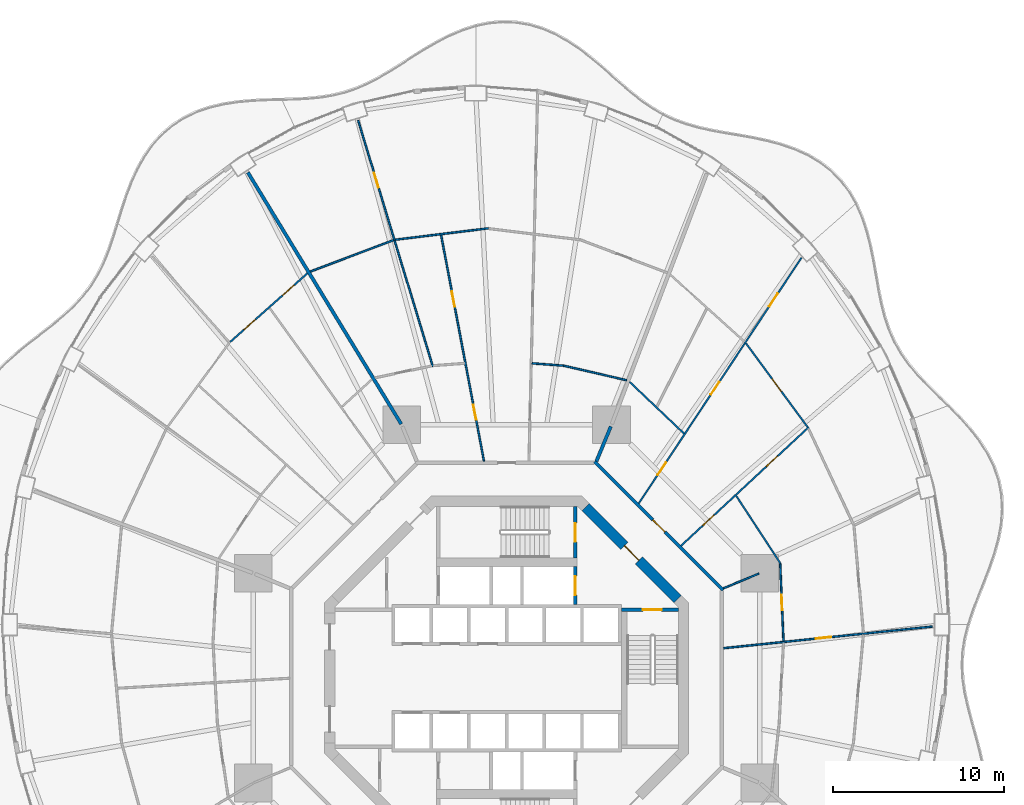
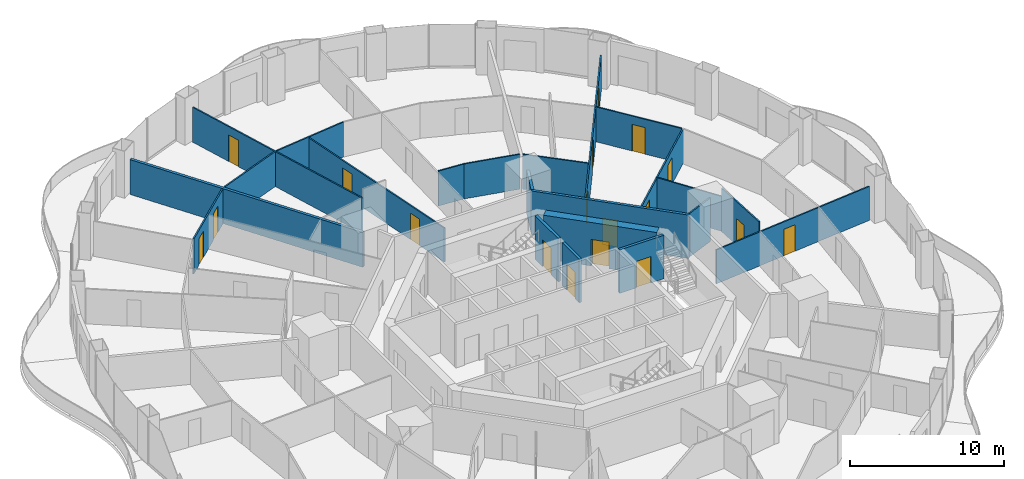
# One storey, part 18 of 22: 22 walls, 18 doors, 18 openings.
"""IFC4 building model written with IfcOpenShell, lengths in metres."""

from ifc_helpers import new_model, si_unit, direction, frame, frame_2d, origin, place, context, subcontext, project, spatial, rectangle, extrude, material, layer, layer_set, type_object, element, fill, save


model = new_model("IFC4")

# Units and contexts
model_context = context("Model", 3, precision=1e-05, world=origin(), true_north=direction((0.0, 1.0)))
body_context = subcontext(model_context, "Body", "Model", "MODEL_VIEW")
ifc_project = project(units=[si_unit("LENGTHUNIT", "METRE"), si_unit("AREAUNIT", "SQUARE_METRE"), si_unit("VOLUMEUNIT", "CUBIC_METRE"), si_unit("PLANEANGLEUNIT", "RADIAN"), si_unit("MASSUNIT", "GRAM", prefix="KILO")], contexts=[model_context])

# Site, building, storey
site_placement = place(None, origin())
site = spatial("IfcSite", under=ifc_project, at=site_placement, CompositionType="ELEMENT")
building_placement = place(site_placement, origin())
building = spatial("IfcBuilding", under=site, at=building_placement, Name="Nagisa Residences", CompositionType="ELEMENT")
storey_placement = place(building_placement, frame((0.0, 0.0, 99.199951171875)))
storey = spatial("IfcBuildingStorey", under=building, at=storey_placement, Name="L24", CompositionType="ELEMENT", Elevation=99.199951171875)

# Walls
ifc_material_1 = material(Name="Gypsum board on steel studs", Category="steel")
ifc_layer_1 = layer(ifc_material_1, 0.199951171875)
ifc_layer_set_1 = layer_set([ifc_layer_1], Name="Apartment compartment wall EI60 200")
wall_type_1 = type_object("IfcWallType", Name="Apartment compartment wall EI60 200", PredefinedType="PARTITIONING", material=ifc_layer_set_1)
wall_1_placement = place(storey_placement, frame((5.24267578125, 12.6572265625, 0.0), z_axis=(0.0, 0.0, 1.0), x_axis=(0.382724096228, 0.923862687939, 0.0)))
element("IfcWall", 1, at=wall_1_placement, inside=storey, type_object=wall_type_1, Name="wall:L24:u00", PredefinedType="PARTITIONING", context=body_context, shape_type="SweptSolid", body=[
    extrude(rectangle(XDim=2.20068359375, YDim=0.199951171875, at=frame_2d((1.100341796875, 0.0))), origin(), (0.0, 0.0, 1.0), 3.43994140625),
])
wall_2_placement = place(storey_placement, frame((-6.14892578125, 14.82470703125, 0.0), z_axis=(0.0, 0.0, 1.0), x_axis=(-0.520412862249, 0.853914780763, 0.0)))
element("IfcWall", 2, at=wall_2_placement, inside=storey, type_object=wall_type_1, Name="wall:L24:u03", PredefinedType="PARTITIONING", context=body_context, shape_type="SweptSolid", body=[
    extrude(rectangle(XDim=17.202392578125, YDim=0.199951171875, at=frame_2d((8.60107421875, 0.0))), origin(), (0.0, 0.0, 1.0), 2.761962890625),
])

# Wall, opening, door
ifc_material_2 = material(Name="Gypsum board on steel studs", Category="steel")
ifc_layer_2 = layer(ifc_material_2, 0.199951171875)
ifc_layer_set_2 = layer_set([ifc_layer_2], Name="Apartment entry wall EI60 200")
wall_type_2 = type_object("IfcWallType", Name="Apartment entry wall EI60 200", PredefinedType="PARTITIONING", material=ifc_layer_set_2)
wall_3_placement = place(storey_placement, frame((12.635498046875, 5.1337890625, 0.0), z_axis=(0.0, 0.0, 1.0), x_axis=(-0.707106781187, 0.707106781187, 0.0)))
wall_3 = element("IfcWall", 3, at=wall_3_placement, inside=storey, type_object=wall_type_2, Name="wall:L24:u11", PredefinedType="PARTITIONING", context=body_context, shape_type="SweptSolid", body=[
    extrude(rectangle(XDim=10.609130859375, YDim=0.199951171875, at=frame_2d((5.3046875, 0.0))), origin(), (0.0, 0.0, 1.0), 3.43994140625),
])
opening_1_placement = place(wall_3_placement, frame((4.804443359375, 0.0, 0.0)))
opening_1 = element("IfcOpeningElement", 4, at=opening_1_placement, cuts=wall_3, Name="Opening L24-U28", PredefinedType="OPENING", context=body_context, shape_type="SweptSolid", body=[
    extrude(rectangle(XDim=1.0, YDim=2.10009765625, at=frame_2d((0.5, 1.050048828125))), frame((0.0, 0.10986328125, 0.0), z_axis=(0.0, -1.0, 0.0), x_axis=(1.0, 0.0, 0.0)), (0.0, 0.0, 1.0), 0.219970703125),
])
ifc_material_3 = material(Name="Timber fire door set", Category="wood")
door_type_1 = type_object("IfcDoorType", Name="Apartment entry door FD30S 1000x2100", OperationType="NOTDEFINED", PredefinedType="DOOR", material=ifc_material_3)
door_1_placement = place(opening_1_placement, frame((1.0, 0.0, 0.0), x_axis=(-1.0, 0.0, 0.0)))
door_1 = element("IfcDoor", 5, at=door_1_placement, inside=storey, type_object=door_type_1, Name="Entry door, Apartment 24C", OperationType="SINGLE_SWING_LEFT", OverallHeight=2.10009765625, OverallWidth=1.0, PredefinedType="DOOR", context=body_context, shape_type="SweptSolid", body=[
    extrude(rectangle(XDim=1.0, YDim=2.10009765625, at=frame_2d((0.5, 1.050048828125))), frame((0.0, 0.02490234375, 0.0), z_axis=(0.0, -1.0, 0.0), x_axis=(1.0, 0.0, 0.0)), (0.0, 0.0, 1.0), 0.050048828125),
])
fill(opening_1, door_1)

ifc_material_4 = material(Name="Gypsum board on steel studs", Category="steel")
ifc_layer_3 = layer(ifc_material_4, 0.10009765625)
ifc_layer_set_3 = layer_set([ifc_layer_3], Name="Apartment partition 100")
wall_type_3 = type_object("IfcWallType", Name="Apartment partition 100", PredefinedType="PARTITIONING", material=ifc_layer_set_3)
wall_4_placement = place(storey_placement, frame((12.664306640625, 1.7451171875, 0.0), z_axis=(0.0, 0.0, 1.0), x_axis=(0.994662790212, 0.103179134358, 0.0)))
wall_4 = element("IfcWall", 6, at=wall_4_placement, inside=storey, type_object=wall_type_3, Name="wall:L24:u18", PredefinedType="PARTITIONING", context=body_context, shape_type="SweptSolid", body=[
    extrude(rectangle(XDim=12.2568359375, YDim=0.10009765625, at=frame_2d((6.12841796875, 0.0))), origin(), (0.0, 0.0, 1.0), 2.68701171875),
])
opening_2_placement = place(wall_4_placement, frame((5.413818359375, 0.0, 0.0)))
opening_2 = element("IfcOpeningElement", 7, at=opening_2_placement, cuts=wall_4, Name="Opening L24-U37", PredefinedType="OPENING", context=body_context, shape_type="SweptSolid", body=[
    extrude(rectangle(XDim=0.89990234375, YDim=2.10009765625, at=frame_2d((0.449951171875, 1.050048828125))), frame((0.0, 0.06005859375, 0.0), z_axis=(0.0, -1.0, 0.0), x_axis=(1.0, 0.0, 0.0)), (0.0, 0.0, 1.0), 0.1201171875),
])
ifc_material_5 = material(Name="Timber door set", Category="wood")
door_type_2 = type_object("IfcDoorType", Name="Apartment door 900x2100", OperationType="NOTDEFINED", PredefinedType="DOOR", material=ifc_material_5)
door_2_placement = place(opening_2_placement, frame((0.89990234375, 0.0, 0.0), x_axis=(-1.0, 0.0, 0.0)))
door_2 = element("IfcDoor", 8, at=door_2_placement, inside=storey, type_object=door_type_2, Name="Door to kitchen, Apartment 24C", OperationType="SINGLE_SWING_RIGHT", OverallHeight=2.10009765625, OverallWidth=0.89990234375, PredefinedType="DOOR", context=body_context, shape_type="SweptSolid", body=[
    extrude(rectangle(XDim=0.89990234375, YDim=2.10009765625, at=frame_2d((0.449951171875, 1.050048828125))), frame((0.0, 0.02490234375, 0.0), z_axis=(0.0, -1.0, 0.0), x_axis=(1.0, 0.0, 0.0)), (0.0, 0.0, 1.0), 0.050048828125),
])
fill(opening_2, door_2)

wall_5_placement = place(storey_placement, frame((16.161865234375, 2.158203125, 0.0), z_axis=(0.0, 0.0, 1.0), x_axis=(-0.043120653248, 0.999069872063, 0.0)))
wall_5 = element("IfcWall", 9, at=wall_5_placement, inside=storey, type_object=wall_type_3, Name="wall:L24:u19", PredefinedType="PARTITIONING", context=body_context, shape_type="SweptSolid", body=[
    extrude(rectangle(XDim=4.51806640625, YDim=0.10009765625, at=frame_2d((2.259033203125, 0.0))), origin(), (0.0, 0.0, 1.0), 3.43994140625),
])
opening_3_placement = place(wall_5_placement, frame((1.80908203125, 0.0, 0.0)))
opening_3 = element("IfcOpeningElement", 10, at=opening_3_placement, cuts=wall_5, Name="Opening L24-U36", PredefinedType="OPENING", context=body_context, shape_type="SweptSolid", body=[
    extrude(rectangle(XDim=0.89990234375, YDim=2.10009765625, at=frame_2d((0.449951171875, 1.050048828125))), frame((0.0, 0.06005859375, 0.0), z_axis=(0.0, -1.0, 0.0), x_axis=(1.0, 0.0, 0.0)), (0.0, 0.0, 1.0), 0.1201171875),
])
door_3_placement = place(opening_3_placement, origin())
door_3 = element("IfcDoor", 11, at=door_3_placement, inside=storey, type_object=door_type_2, Name="Door to store, Apartment 24C", OperationType="SINGLE_SWING_RIGHT", OverallHeight=2.10009765625, OverallWidth=0.89990234375, PredefinedType="DOOR", context=body_context, shape_type="SweptSolid", body=[
    extrude(rectangle(XDim=0.89990234375, YDim=2.10009765625, at=frame_2d((0.449951171875, 1.050048828125))), frame((0.0, 0.02490234375, 0.0), z_axis=(0.0, -1.0, 0.0), x_axis=(1.0, 0.0, 0.0)), (0.0, 0.0, 1.0), 0.050048828125),
])
fill(opening_3, door_3)

# Walls
wall_6_placement = place(storey_placement, frame((12.6572265625, 5.24267578125, 0.0), z_axis=(0.0, 0.0, 1.0), x_axis=(0.923864733477, 0.382719158442, 0.0)))
element("IfcWall", 12, at=wall_6_placement, inside=storey, type_object=wall_type_3, Name="wall:L24:u23", PredefinedType="PARTITIONING", context=body_context, shape_type="SweptSolid", body=[
    extrude(rectangle(XDim=2.25, YDim=0.10009765625, at=frame_2d((1.125, 0.0))), origin(), (0.0, 0.0, 1.0), 3.43994140625),
])
wall_7_placement = place(storey_placement, frame((15.9921875, 6.68017578125, 0.0), z_axis=(0.0, 0.0, 1.0), x_axis=(-0.547472878942, 0.836823426311, 0.0)))
element("IfcWall", 13, at=wall_7_placement, inside=storey, type_object=wall_type_3, Name="wall:L24:u24", PredefinedType="PARTITIONING", context=body_context, shape_type="SweptSolid", body=[
    extrude(rectangle(XDim=4.73779296875, YDim=0.10009765625, at=frame_2d((2.368896484375, 0.0))), origin(), (0.0, 0.0, 1.0), 2.761962890625),
])

# Wall, openings, doors
wall_8_placement = place(storey_placement, frame((10.1845703125, 7.72607421875, 0.0), z_axis=(0.0, 0.0, 1.0), x_axis=(0.732598472978, 0.680661059112, 0.0)))
wall_8 = element("IfcWall", 14, at=wall_8_placement, inside=storey, type_object=wall_type_3, Name="wall:L24:u27", PredefinedType="PARTITIONING", context=body_context, shape_type="SweptSolid", body=[
    extrude(rectangle(XDim=10.16748046875, YDim=0.10009765625, at=frame_2d((5.083740234375, 0.0))), origin(), (0.0, 0.0, 1.0), 2.68701171875),
])
opening_4_placement = place(wall_8_placement, frame((1.724853515625, 0.0, 0.0)))
opening_4 = element("IfcOpeningElement", 15, at=opening_4_placement, cuts=wall_8, Name="Opening L24-U29", PredefinedType="OPENING", context=body_context, shape_type="SweptSolid", body=[
    extrude(rectangle(XDim=0.89990234375, YDim=2.10009765625, at=frame_2d((0.449951171875, 1.050048828125))), frame((0.0, 0.06005859375, 0.0), z_axis=(0.0, -1.0, 0.0), x_axis=(1.0, 0.0, 0.0)), (0.0, 0.0, 1.0), 0.1201171875),
])
opening_5_placement = place(wall_8_placement, frame((6.78369140625, 0.0, 0.0)))
opening_5 = element("IfcOpeningElement", 16, at=opening_5_placement, cuts=wall_8, Name="Opening L24-U31", PredefinedType="OPENING", context=body_context, shape_type="SweptSolid", body=[
    extrude(rectangle(XDim=0.89990234375, YDim=2.10009765625, at=frame_2d((0.449951171875, 1.050048828125))), frame((0.0, 0.06005859375, 0.0), z_axis=(0.0, -1.0, 0.0), x_axis=(1.0, 0.0, 0.0)), (0.0, 0.0, 1.0), 0.1201171875),
])
door_4_placement = place(opening_4_placement, frame((0.89990234375, 0.0, 0.0), x_axis=(-1.0, 0.0, 0.0)))
door_4 = element("IfcDoor", 17, at=door_4_placement, inside=storey, type_object=door_type_2, Name="Door to laundry, Apartment 24C", OperationType="SINGLE_SWING_RIGHT", OverallHeight=2.10009765625, OverallWidth=0.89990234375, PredefinedType="DOOR", context=body_context, shape_type="SweptSolid", body=[
    extrude(rectangle(XDim=0.89990234375, YDim=2.10009765625, at=frame_2d((0.449951171875, 1.050048828125))), frame((0.0, 0.02490234375, 0.0), z_axis=(0.0, -1.0, 0.0), x_axis=(1.0, 0.0, 0.0)), (0.0, 0.0, 1.0), 0.050048828125),
])
fill(opening_4, door_4)
door_5_placement = place(opening_5_placement, frame((0.89990234375, 0.0, 0.0), x_axis=(-1.0, 0.0, 0.0)))
door_5 = element("IfcDoor", 18, at=door_5_placement, inside=storey, type_object=door_type_2, Name="Door to dining room, Apartment 24C", OperationType="SINGLE_SWING_RIGHT", OverallHeight=2.10009765625, OverallWidth=0.89990234375, PredefinedType="DOOR", context=body_context, shape_type="SweptSolid", body=[
    extrude(rectangle(XDim=0.89990234375, YDim=2.10009765625, at=frame_2d((0.449951171875, 1.050048828125))), frame((0.0, 0.02490234375, 0.0), z_axis=(0.0, -1.0, 0.0), x_axis=(1.0, 0.0, 0.0)), (0.0, 0.0, 1.0), 0.050048828125),
])
fill(opening_5, door_5)

# Wall, opening, door
wall_9_placement = place(storey_placement, frame((17.567138671875, 14.65283203125, 0.0), z_axis=(0.0, 0.0, 1.0), x_axis=(-0.592391983588, 0.80564988536, 0.0)))
wall_9 = element("IfcWall", 19, at=wall_9_placement, inside=storey, type_object=wall_type_3, Name="wall:L24:u28", PredefinedType="PARTITIONING", context=body_context, shape_type="SweptSolid", body=[
    extrude(rectangle(XDim=6.080078125, YDim=0.10009765625, at=frame_2d((3.0400390625, 0.0))), origin(), (0.0, 0.0, 1.0), 2.761962890625),
])
opening_6_placement = place(wall_9_placement, frame((2.590087890625, 0.0, 0.0)))
opening_6 = element("IfcOpeningElement", 20, at=opening_6_placement, cuts=wall_9, Name="Opening L24-U34", PredefinedType="OPENING", context=body_context, shape_type="SweptSolid", body=[
    extrude(rectangle(XDim=0.89990234375, YDim=2.10009765625, at=frame_2d((0.449951171875, 1.050048828125))), frame((0.0, 0.06005859375, 0.0), z_axis=(0.0, -1.0, 0.0), x_axis=(1.0, 0.0, 0.0)), (0.0, 0.0, 1.0), 0.1201171875),
])
door_6_placement = place(opening_6_placement, frame((0.89990234375, 0.0, 0.0), x_axis=(-1.0, 0.0, 0.0)))
door_6 = element("IfcDoor", 21, at=door_6_placement, inside=storey, type_object=door_type_2, Name="Door to living room, Apartment 24C", OperationType="SINGLE_SWING_LEFT", OverallHeight=2.10009765625, OverallWidth=0.89990234375, PredefinedType="DOOR", context=body_context, shape_type="SweptSolid", body=[
    extrude(rectangle(XDim=0.89990234375, YDim=2.10009765625, at=frame_2d((0.449951171875, 1.050048828125))), frame((0.0, 0.02490234375, 0.0), z_axis=(0.0, -1.0, 0.0), x_axis=(1.0, 0.0, 0.0)), (0.0, 0.0, 1.0), 0.050048828125),
])
fill(opening_6, door_6)

# Wall, openings, doors
wall_10_placement = place(storey_placement, frame((7.713134765625, 10.19482421875, 0.0), z_axis=(0.0, 0.0, 1.0), x_axis=(0.552111071171, 0.833770571015, 0.0)))
wall_10 = element("IfcWall", 22, at=wall_10_placement, inside=storey, type_object=wall_type_3, Name="wall:L24:u29", PredefinedType="PARTITIONING", context=body_context, shape_type="SweptSolid", body=[
    extrude(rectangle(XDim=17.20849609375, YDim=0.10009765625, at=frame_2d((8.604248046875, 0.0))), origin(), (0.0, 0.0, 1.0), 2.68701171875),
])
opening_7_placement = place(wall_10_placement, frame((1.975830078125, 0.0, 0.0)))
opening_7 = element("IfcOpeningElement", 23, at=opening_7_placement, cuts=wall_10, Name="Opening L24-U30", PredefinedType="OPENING", context=body_context, shape_type="SweptSolid", body=[
    extrude(rectangle(XDim=0.89990234375, YDim=2.10009765625, at=frame_2d((0.449951171875, 1.050048828125))), frame((0.0, 0.06005859375, 0.0), z_axis=(0.0, -1.0, 0.0), x_axis=(1.0, 0.0, 0.0)), (0.0, 0.0, 1.0), 0.1201171875),
])
opening_8_placement = place(wall_10_placement, frame((7.611083984375, 0.0, 0.0)))
opening_8 = element("IfcOpeningElement", 24, at=opening_8_placement, cuts=wall_10, Name="Opening L24-U32", PredefinedType="OPENING", context=body_context, shape_type="SweptSolid", body=[
    extrude(rectangle(XDim=0.89990234375, YDim=2.10009765625, at=frame_2d((0.449951171875, 1.050048828125))), frame((0.0, 0.06005859375, 0.0), z_axis=(0.0, -1.0, 0.0), x_axis=(1.0, 0.0, 0.0)), (0.0, 0.0, 1.0), 0.1201171875),
])
opening_9_placement = place(wall_10_placement, frame((13.78955078125, 0.0, 0.0)))
opening_9 = element("IfcOpeningElement", 25, at=opening_9_placement, cuts=wall_10, Name="Opening L24-U35", PredefinedType="OPENING", context=body_context, shape_type="SweptSolid", body=[
    extrude(rectangle(XDim=0.89990234375, YDim=2.10009765625, at=frame_2d((0.449951171875, 1.050048828125))), frame((0.0, 0.06005859375, 0.0), z_axis=(0.0, -1.0, 0.0), x_axis=(1.0, 0.0, 0.0)), (0.0, 0.0, 1.0), 0.1201171875),
])
door_7_placement = place(opening_7_placement, origin())
door_7 = element("IfcDoor", 26, at=door_7_placement, inside=storey, type_object=door_type_2, Name="Door to store, Apartment 24C", OperationType="SINGLE_SWING_RIGHT", OverallHeight=2.10009765625, OverallWidth=0.89990234375, PredefinedType="DOOR", context=body_context, shape_type="SweptSolid", body=[
    extrude(rectangle(XDim=0.89990234375, YDim=2.10009765625, at=frame_2d((0.449951171875, 1.050048828125))), frame((0.0, 0.02490234375, 0.0), z_axis=(0.0, -1.0, 0.0), x_axis=(1.0, 0.0, 0.0)), (0.0, 0.0, 1.0), 0.050048828125),
])
fill(opening_7, door_7)
door_8_placement = place(opening_8_placement, origin())
door_8 = element("IfcDoor", 27, at=door_8_placement, inside=storey, type_object=door_type_2, Name="Door to family bathroom, Apartment 24C", OperationType="SINGLE_SWING_RIGHT", OverallHeight=2.10009765625, OverallWidth=0.89990234375, PredefinedType="DOOR", context=body_context, shape_type="SweptSolid", body=[
    extrude(rectangle(XDim=0.89990234375, YDim=2.10009765625, at=frame_2d((0.449951171875, 1.050048828125))), frame((0.0, 0.02490234375, 0.0), z_axis=(0.0, -1.0, 0.0), x_axis=(1.0, 0.0, 0.0)), (0.0, 0.0, 1.0), 0.050048828125),
])
fill(opening_8, door_8)
door_9_placement = place(opening_9_placement, origin())
door_9 = element("IfcDoor", 28, at=door_9_placement, inside=storey, type_object=door_type_2, Name="Door to master bedroom, Apartment 24C", OperationType="SINGLE_SWING_LEFT", OverallHeight=2.10009765625, OverallWidth=0.89990234375, PredefinedType="DOOR", context=body_context, shape_type="SweptSolid", body=[
    extrude(rectangle(XDim=0.89990234375, YDim=2.10009765625, at=frame_2d((0.449951171875, 1.050048828125))), frame((0.0, 0.02490234375, 0.0), z_axis=(0.0, -1.0, 0.0), x_axis=(1.0, 0.0, 0.0)), (0.0, 0.0, 1.0), 0.050048828125),
])
fill(opening_9, door_9)

# Walls
wall_11_placement = place(storey_placement, frame((10.35546875, 14.274169921875, 0.0), z_axis=(0.0, 0.0, 1.0), x_axis=(-0.725206433622, 0.688531501555, 0.0)))
element("IfcWall", 29, at=wall_11_placement, inside=storey, type_object=wall_type_3, Name="wall:L24:u30", PredefinedType="PARTITIONING", context=body_context, shape_type="SweptSolid", body=[
    extrude(rectangle(XDim=4.386962890625, YDim=0.10009765625, at=frame_2d((2.193359375, 0.0))), origin(), (0.0, 0.0, 1.0), 2.761962890625),
])
wall_12_placement = place(storey_placement, frame((7.004150390625, 17.385986328125, 0.0), z_axis=(0.0, 0.0, 1.0), x_axis=(-0.974179728512, 0.225773905837, 0.0)))
element("IfcWall", 30, at=wall_12_placement, inside=storey, type_object=wall_type_3, Name="wall:L24:u33", PredefinedType="PARTITIONING", context=body_context, shape_type="SweptSolid", body=[
    extrude(rectangle(XDim=3.802001953125, YDim=0.10009765625, at=frame_2d((1.90087890625, 0.0))), origin(), (0.0, 0.0, 1.0), 2.761962890625),
])
wall_13_placement = place(storey_placement, frame((3.299072265625, 18.23681640625, 0.0), z_axis=(0.0, 0.0, 1.0), x_axis=(-0.997152920483, 0.075405922664, 0.0)))
element("IfcWall", 31, at=wall_13_placement, inside=storey, type_object=wall_type_3, Name="wall:L24:u35", PredefinedType="PARTITIONING", context=body_context, shape_type="SweptSolid", body=[
    extrude(rectangle(XDim=1.82275390625, YDim=0.10009765625, at=frame_2d((0.911376953125, 0.0))), origin(), (0.0, 0.0, 1.0), 2.761962890625),
])
wall_14_placement = place(storey_placement, frame((-1.06640625, 26.2529296875, 0.0), z_axis=(0.0, 0.0, 1.0), x_axis=(-0.992574853421, -0.121635358166, 0.0)))
element("IfcWall", 32, at=wall_14_placement, inside=storey, type_object=wall_type_3, Name="wall:L24:u38", PredefinedType="PARTITIONING", context=body_context, shape_type="SweptSolid", body=[
    extrude(rectangle(XDim=5.473388671875, YDim=0.10009765625, at=frame_2d((2.73681640625, 0.0))), origin(), (0.0, 0.0, 1.0), 2.761962890625),
])

# Wall, openings, doors
wall_15_placement = place(storey_placement, frame((-1.31982421875, 12.6630859375, 0.0), z_axis=(0.0, 0.0, 1.0), x_axis=(-0.186308855238, 0.982491226658, 0.0)))
wall_15 = element("IfcWall", 33, at=wall_15_placement, inside=storey, type_object=wall_type_3, Name="wall:L24:u39", PredefinedType="PARTITIONING", context=body_context, shape_type="SweptSolid", body=[
    extrude(rectangle(XDim=13.43701171875, YDim=0.10009765625, at=frame_2d((6.718505859375, 0.0))), origin(), (0.0, 0.0, 1.0), 2.68701171875),
])
opening_10_placement = place(wall_15_placement, frame((2.45849609375, 0.0, 0.0)))
opening_10 = element("IfcOpeningElement", 34, at=opening_10_placement, cuts=wall_15, Name="Opening L24-U43", PredefinedType="OPENING", context=body_context, shape_type="SweptSolid", body=[
    extrude(rectangle(XDim=0.89990234375, YDim=2.10009765625, at=frame_2d((0.449951171875, 1.050048828125))), frame((0.0, 0.06005859375, 0.0), z_axis=(0.0, -1.0, 0.0), x_axis=(1.0, 0.0, 0.0)), (0.0, 0.0, 1.0), 0.1201171875),
])
opening_11_placement = place(wall_15_placement, frame((9.177001953125, 0.0, 0.0)))
opening_11 = element("IfcOpeningElement", 35, at=opening_11_placement, cuts=wall_15, Name="Opening L24-U45", PredefinedType="OPENING", context=body_context, shape_type="SweptSolid", body=[
    extrude(rectangle(XDim=0.89990234375, YDim=2.10009765625, at=frame_2d((0.449951171875, 1.050048828125))), frame((0.0, 0.06005859375, 0.0), z_axis=(0.0, -1.0, 0.0), x_axis=(1.0, 0.0, 0.0)), (0.0, 0.0, 1.0), 0.1201171875),
])
door_10_placement = place(opening_10_placement, origin())
door_10 = element("IfcDoor", 36, at=door_10_placement, inside=storey, type_object=door_type_2, Name="Door to store, Apartment 24D", OperationType="SINGLE_SWING_LEFT", OverallHeight=2.10009765625, OverallWidth=0.89990234375, PredefinedType="DOOR", context=body_context, shape_type="SweptSolid", body=[
    extrude(rectangle(XDim=0.89990234375, YDim=2.10009765625, at=frame_2d((0.449951171875, 1.050048828125))), frame((0.0, 0.02490234375, 0.0), z_axis=(0.0, -1.0, 0.0), x_axis=(1.0, 0.0, 0.0)), (0.0, 0.0, 1.0), 0.050048828125),
])
fill(opening_10, door_10)
door_11_placement = place(opening_11_placement, origin())
door_11 = element("IfcDoor", 37, at=door_11_placement, inside=storey, type_object=door_type_2, Name="Door to family bathroom, Apartment 24D", OperationType="SINGLE_SWING_LEFT", OverallHeight=2.10009765625, OverallWidth=0.89990234375, PredefinedType="DOOR", context=body_context, shape_type="SweptSolid", body=[
    extrude(rectangle(XDim=0.89990234375, YDim=2.10009765625, at=frame_2d((0.449951171875, 1.050048828125))), frame((0.0, 0.02490234375, 0.0), z_axis=(0.0, -1.0, 0.0), x_axis=(1.0, 0.0, 0.0)), (0.0, 0.0, 1.0), 0.050048828125),
])
fill(opening_11, door_11)

# Wall, opening, door
wall_16_placement = place(storey_placement, frame((-4.306396484375, 18.185302734375, 0.0), z_axis=(0.0, 0.0, 1.0), x_axis=(-0.290183838394, 0.956970919064, 0.0)))
wall_16 = element("IfcWall", 38, at=wall_16_placement, inside=storey, type_object=wall_type_3, Name="wall:L24:u41", PredefinedType="PARTITIONING", context=body_context, shape_type="SweptSolid", body=[
    extrude(rectangle(XDim=15.01513671875, YDim=0.10009765625, at=frame_2d((7.507568359375, 0.0))), origin(), (0.0, 0.0, 1.0), 2.761962890625),
])
opening_12_placement = place(wall_16_placement, frame((10.921875, 0.0, 0.0)))
opening_12 = element("IfcOpeningElement", 39, at=opening_12_placement, cuts=wall_16, Name="Opening L24-U49", PredefinedType="OPENING", context=body_context, shape_type="SweptSolid", body=[
    extrude(rectangle(XDim=0.89990234375, YDim=2.10009765625, at=frame_2d((0.449951171875, 1.050048828125))), frame((0.0, 0.06005859375, 0.0), z_axis=(0.0, -1.0, 0.0), x_axis=(1.0, 0.0, 0.0)), (0.0, 0.0, 1.0), 0.1201171875),
])
door_12_placement = place(opening_12_placement, origin())
door_12 = element("IfcDoor", 40, at=door_12_placement, inside=storey, type_object=door_type_2, Name="Door to master bedroom, Apartment 24D", OperationType="SINGLE_SWING_LEFT", OverallHeight=2.10009765625, OverallWidth=0.89990234375, PredefinedType="DOOR", context=body_context, shape_type="SweptSolid", body=[
    extrude(rectangle(XDim=0.89990234375, YDim=2.10009765625, at=frame_2d((0.449951171875, 1.050048828125))), frame((0.0, 0.02490234375, 0.0), z_axis=(0.0, -1.0, 0.0), x_axis=(1.0, 0.0, 0.0)), (0.0, 0.0, 1.0), 0.050048828125),
])
fill(opening_12, door_12)

# Wall
wall_17_placement = place(storey_placement, frame((-6.595703125, 25.5634765625, 0.0), z_axis=(0.0, 0.0, 1.0), x_axis=(-0.935624838262, -0.352995980185, 0.0)))
element("IfcWall", 41, at=wall_17_placement, inside=storey, type_object=wall_type_3, Name="wall:L24:u43", PredefinedType="PARTITIONING", context=body_context, shape_type="SweptSolid", body=[
    extrude(rectangle(XDim=5.198974609375, YDim=0.10009765625, at=frame_2d((2.599609375, 0.0))), origin(), (0.0, 0.0, 1.0), 2.761962890625),
])

# Wall, openings, doors
wall_18_placement = place(storey_placement, frame((-11.628173828125, 23.62646484375, 0.0), z_axis=(0.0, 0.0, 1.0), x_axis=(-0.747429444005, -0.664341197153, 0.0)))
wall_18 = element("IfcWall", 42, at=wall_18_placement, inside=storey, type_object=wall_type_3, Name="wall:L24:u45", PredefinedType="PARTITIONING", context=body_context, shape_type="SweptSolid", body=[
    extrude(rectangle(XDim=6.023681640625, YDim=0.10009765625, at=frame_2d((3.01171875, 0.0))), origin(), (0.0, 0.0, 1.0), 2.761962890625),
])
opening_13_placement = place(wall_18_placement, frame((4.054931640625, 0.0, 0.0)))
opening_13 = element("IfcOpeningElement", 43, at=opening_13_placement, cuts=wall_18, Name="Opening L24-U55", PredefinedType="OPENING", context=body_context, shape_type="SweptSolid", body=[
    extrude(rectangle(XDim=0.89990234375, YDim=2.10009765625, at=frame_2d((0.449951171875, 1.050048828125))), frame((0.0, 0.06005859375, 0.0), z_axis=(0.0, -1.0, 0.0), x_axis=(1.0, 0.0, 0.0)), (0.0, 0.0, 1.0), 0.1201171875),
])
opening_14_placement = place(wall_18_placement, frame((1.043212890625, 0.0, 0.0)))
opening_14 = element("IfcOpeningElement", 44, at=opening_14_placement, cuts=wall_18, Name="Opening L24-U58", PredefinedType="OPENING", context=body_context, shape_type="SweptSolid", body=[
    extrude(rectangle(XDim=0.89990234375, YDim=2.10009765625, at=frame_2d((0.449951171875, 1.050048828125))), frame((0.0, 0.06005859375, 0.0), z_axis=(0.0, -1.0, 0.0), x_axis=(1.0, 0.0, 0.0)), (0.0, 0.0, 1.0), 0.1201171875),
])
door_13_placement = place(opening_13_placement, frame((0.89990234375, 0.0, 0.0), x_axis=(-1.0, 0.0, 0.0)))
door_13 = element("IfcDoor", 45, at=door_13_placement, inside=storey, type_object=door_type_2, Name="Door to master bedroom, Apartment 24E", OperationType="SINGLE_SWING_RIGHT", OverallHeight=2.10009765625, OverallWidth=0.89990234375, PredefinedType="DOOR", context=body_context, shape_type="SweptSolid", body=[
    extrude(rectangle(XDim=0.89990234375, YDim=2.10009765625, at=frame_2d((0.449951171875, 1.050048828125))), frame((0.0, 0.02490234375, 0.0), z_axis=(0.0, -1.0, 0.0), x_axis=(1.0, 0.0, 0.0)), (0.0, 0.0, 1.0), 0.050048828125),
])
fill(opening_13, door_13)
door_14_placement = place(opening_14_placement, origin())
door_14 = element("IfcDoor", 46, at=door_14_placement, inside=storey, type_object=door_type_2, Name="Door to en-suite bathroom, Apartment 24E", OperationType="SINGLE_SWING_RIGHT", OverallHeight=2.10009765625, OverallWidth=0.89990234375, PredefinedType="DOOR", context=body_context, shape_type="SweptSolid", body=[
    extrude(rectangle(XDim=0.89990234375, YDim=2.10009765625, at=frame_2d((0.449951171875, 1.050048828125))), frame((0.0, 0.02490234375, 0.0), z_axis=(0.0, -1.0, 0.0), x_axis=(1.0, 0.0, 0.0)), (0.0, 0.0, 1.0), 0.050048828125),
])
fill(opening_14, door_14)

# Wall, opening, door
ifc_material_6 = material(Name="Concrete C60", Category="concrete")
ifc_layer_4 = layer(ifc_material_6, 0.60009765625)
ifc_layer_set_4 = layer_set([ifc_layer_4], Name="Core shear wall 600")
wall_type_4 = type_object("IfcWallType", Name="Core shear wall 600", PredefinedType="SHEAR", material=ifc_layer_set_4)
wall_19_placement = place(storey_placement, frame((9.98828125, 4.613037109375, 0.0), z_axis=(0.0, 0.0, 1.0), x_axis=(-0.707106781187, 0.707106781187, 0.0)))
wall_19 = element("IfcWall", 47, at=wall_19_placement, inside=storey, type_object=wall_type_4, Name="wall:L24:core:flat1", PredefinedType="SHEAR", context=body_context, shape_type="SweptSolid", body=[
    extrude(rectangle(XDim=7.601806640625, YDim=0.60009765625, at=frame_2d((3.80078125, 0.0))), origin(), (0.0, 0.0, 1.0), 3.43994140625),
])
opening_15_placement = place(wall_19_placement, frame((3.200927734375, 0.0, 0.0)))
opening_15 = element("IfcOpeningElement", 48, at=opening_15_placement, cuts=wall_19, Name="Opening L24-C15", PredefinedType="OPENING", context=body_context, shape_type="SweptSolid", body=[
    extrude(rectangle(XDim=1.199951171875, YDim=2.10009765625, at=frame_2d((0.60009765625, 1.050048828125))), frame((0.0, 0.31005859375, 0.0), z_axis=(0.0, -1.0, 0.0), x_axis=(1.0, 0.0, 0.0)), (0.0, 0.0, 1.0), 0.6201171875),
])
ifc_material_7 = material(Name="Steel fire door", Category="steel")
door_type_3 = type_object("IfcDoorType", Name="Fire door EI60 1200x2100 single swing", OperationType="NOTDEFINED", PredefinedType="DOOR", material=ifc_material_7)
door_15_placement = place(opening_15_placement, origin())
door_15 = element("IfcDoor", 49, at=door_15_placement, inside=storey, type_object=door_type_3, Name="Firefighting lobby 1 door L24", OperationType="SINGLE_SWING_LEFT", OverallHeight=2.10009765625, OverallWidth=1.199951171875, PredefinedType="DOOR", context=body_context, shape_type="SweptSolid", body=[
    extrude(rectangle(XDim=1.199951171875, YDim=2.10009765625, at=frame_2d((0.60009765625, 1.050048828125))), frame((0.0, 0.02490234375, 0.0), z_axis=(0.0, -1.0, 0.0), x_axis=(1.0, 0.0, 0.0)), (0.0, 0.0, 1.0), 0.050048828125),
])
fill(opening_15, door_15)

ifc_material_8 = material(Name="Concrete C60", Category="concrete")
ifc_layer_5 = layer(ifc_material_8, 0.199951171875)
ifc_layer_set_5 = layer_set([ifc_layer_5], Name="Lift shaft wall 200")
wall_type_5 = type_object("IfcWallType", Name="Lift shaft wall 200", PredefinedType="SOLIDWALL", material=ifc_layer_set_5)
wall_20_placement = place(storey_placement, frame((4.0, 4.300048828125, 0.0), z_axis=(0.0, 0.0, 1.0), x_axis=(0.0, 1.0, 0.0)))
wall_20 = element("IfcWall", 50, at=wall_20_placement, inside=storey, type_object=wall_type_5, Name="wall:L24:Nb3", PredefinedType="SOLIDWALL", context=body_context, shape_type="SweptSolid", body=[
    extrude(rectangle(XDim=2.199951171875, YDim=0.199951171875, at=frame_2d((1.10009765625, 0.0))), origin(), (0.0, 0.0, 1.0), 3.43994140625),
])
opening_16_placement = place(wall_20_placement, frame((0.550048828125, 0.0, 0.0)))
opening_16 = element("IfcOpeningElement", 51, at=opening_16_placement, cuts=wall_20, Name="Opening L24-C06", PredefinedType="OPENING", context=body_context, shape_type="SweptSolid", body=[
    extrude(rectangle(XDim=1.10009765625, YDim=2.10009765625, at=frame_2d((0.550048828125, 1.050048828125))), frame((0.0, 0.10986328125, 0.0), z_axis=(0.0, -1.0, 0.0), x_axis=(1.0, 0.0, 0.0)), (0.0, 0.0, 1.0), 0.219970703125),
])
ifc_material_9 = material(Name="Stainless steel", Category="steel")
door_type_4 = type_object("IfcDoorType", Name="Lift landing door 1100x2100", OperationType="DOUBLE_DOOR_SLIDING", PredefinedType="DOOR", material=ifc_material_9)
door_16_placement = place(opening_16_placement, origin())
door_16 = element("IfcDoor", 52, at=door_16_placement, inside=storey, type_object=door_type_4, Name="Landing door FL1 L24", OperationType="DOUBLE_DOOR_SLIDING", OverallHeight=2.10009765625, OverallWidth=1.10009765625, PredefinedType="DOOR", context=body_context, shape_type="SweptSolid", body=[
    extrude(rectangle(XDim=1.10009765625, YDim=2.10009765625, at=frame_2d((0.550048828125, 1.050048828125))), frame((0.0, 0.02490234375, 0.0), z_axis=(0.0, -1.0, 0.0), x_axis=(1.0, 0.0, 0.0)), (0.0, 0.0, 1.0), 0.050048828125),
])
fill(opening_16, door_16)

ifc_material_10 = material(Name="Concrete C60", Category="concrete")
ifc_layer_6 = layer(ifc_material_10, 0.199951171875)
ifc_layer_set_6 = layer_set([ifc_layer_6], Name="Stair enclosure wall 200")
wall_type_6 = type_object("IfcWallType", Name="Stair enclosure wall 200", PredefinedType="SOLIDWALL", material=ifc_layer_set_6)
wall_21_placement = place(storey_placement, frame((6.699951171875, 4.0, 0.0), z_axis=(0.0, 0.0, 1.0), x_axis=(1.0, 0.0, 0.0)))
wall_21 = element("IfcWall", 53, at=wall_21_placement, inside=storey, type_object=wall_type_6, Name="wall:L24:SE_n", PredefinedType="SOLIDWALL", context=body_context, shape_type="SweptSolid", body=[
    extrude(rectangle(XDim=3.32470703125, YDim=0.199951171875, at=frame_2d((1.662353515625, 0.0))), origin(), (0.0, 0.0, 1.0), 3.43994140625),
])
opening_17_placement = place(wall_21_placement, frame((1.25, 0.0, 0.0)))
opening_17 = element("IfcOpeningElement", 54, at=opening_17_placement, cuts=wall_21, Name="Opening L24-C09", PredefinedType="OPENING", context=body_context, shape_type="SweptSolid", body=[
    extrude(rectangle(XDim=1.10009765625, YDim=2.10009765625, at=frame_2d((0.550048828125, 1.050048828125))), frame((0.0, 0.10986328125, 0.0), z_axis=(0.0, -1.0, 0.0), x_axis=(1.0, 0.0, 0.0)), (0.0, 0.0, 1.0), 0.219970703125),
])
ifc_material_11 = material(Name="Steel fire door", Category="steel")
door_type_5 = type_object("IfcDoorType", Name="Fire door EI90 1100x2100 single swing", OperationType="NOTDEFINED", PredefinedType="DOOR", material=ifc_material_11)
door_17_placement = place(opening_17_placement, frame((1.10009765625, 0.0, 0.0), x_axis=(-1.0, 0.0, 0.0)))
door_17 = element("IfcDoor", 55, at=door_17_placement, inside=storey, type_object=door_type_5, Name="Stair door ST-E L24", OperationType="SINGLE_SWING_LEFT", OverallHeight=2.10009765625, OverallWidth=1.10009765625, PredefinedType="DOOR", context=body_context, shape_type="SweptSolid", body=[
    extrude(rectangle(XDim=1.10009765625, YDim=2.10009765625, at=frame_2d((0.550048828125, 1.050048828125))), frame((0.0, 0.02490234375, 0.0), z_axis=(0.0, -1.0, 0.0), x_axis=(1.0, 0.0, 0.0)), (0.0, 0.0, 1.0), 0.050048828125),
])
fill(opening_17, door_17)

wall_22_placement = place(storey_placement, frame((4.0, 7.024658203125, 0.0), z_axis=(0.0, 0.0, 1.0), x_axis=(0.0, 1.0, 0.0)))
wall_22 = element("IfcWall", 56, at=wall_22_placement, inside=storey, type_object=wall_type_6, Name="wall:L24:SN_e", PredefinedType="SOLIDWALL", context=body_context, shape_type="SweptSolid", body=[
    extrude(rectangle(XDim=3.0, YDim=0.199951171875, at=frame_2d((1.5, 0.0))), origin(), (0.0, 0.0, 1.0), 3.43994140625),
])
opening_18_placement = place(wall_22_placement, frame((0.92529296875, 0.0, 0.0)))
opening_18 = element("IfcOpeningElement", 57, at=opening_18_placement, cuts=wall_22, Name="Opening L24-C10", PredefinedType="OPENING", context=body_context, shape_type="SweptSolid", body=[
    extrude(rectangle(XDim=1.10009765625, YDim=2.10009765625, at=frame_2d((0.550048828125, 1.050048828125))), frame((0.0, 0.10986328125, 0.0), z_axis=(0.0, -1.0, 0.0), x_axis=(1.0, 0.0, 0.0)), (0.0, 0.0, 1.0), 0.219970703125),
])
door_18_placement = place(opening_18_placement, origin())
door_18 = element("IfcDoor", 58, at=door_18_placement, inside=storey, type_object=door_type_5, Name="Stair door ST-N L24", OperationType="SINGLE_SWING_RIGHT", OverallHeight=2.10009765625, OverallWidth=1.10009765625, PredefinedType="DOOR", context=body_context, shape_type="SweptSolid", body=[
    extrude(rectangle(XDim=1.10009765625, YDim=2.10009765625, at=frame_2d((0.550048828125, 1.050048828125))), frame((0.0, 0.02490234375, 0.0), z_axis=(0.0, -1.0, 0.0), x_axis=(1.0, 0.0, 0.0)), (0.0, 0.0, 1.0), 0.050048828125),
])
fill(opening_18, door_18)

save(model, "model.ifc")
